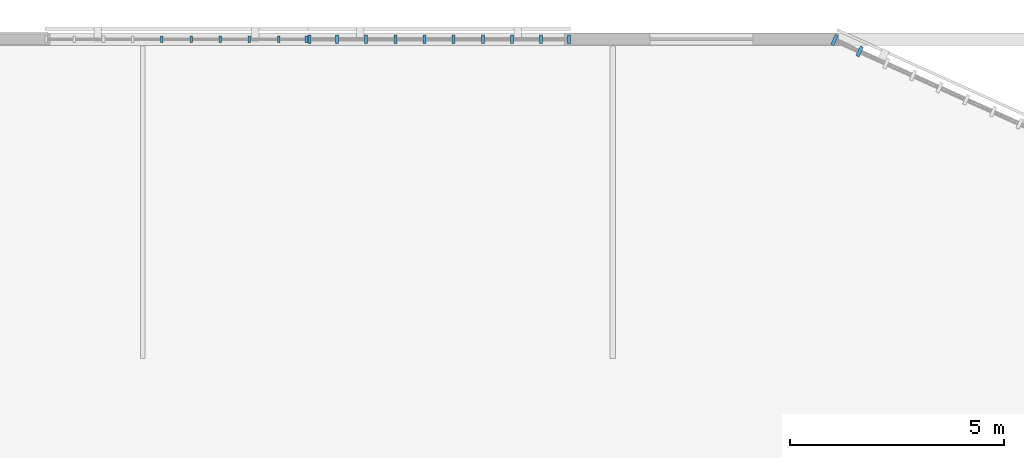
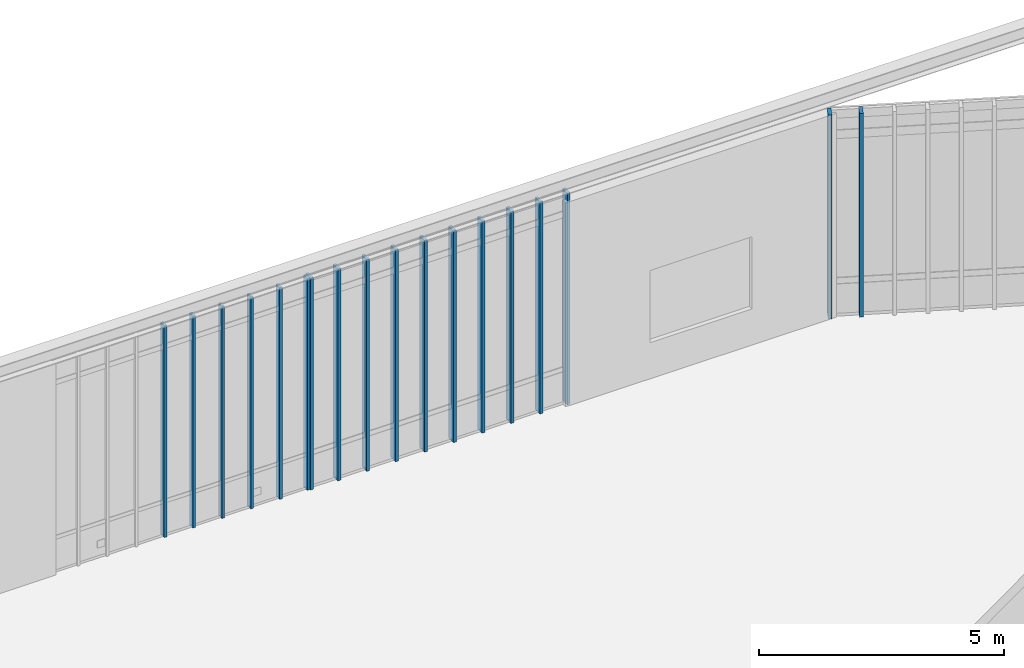
# One storey, part 32 of 135: 18 members, 3 elements without a shape of their own.
"""IFC4 building model written with IfcOpenShell, lengths in metres."""

import ifcopenshell
import ifcopenshell.guid

model = None  # the IFC model being written
_history = None  # IfcOwnerHistory: only IFC2X3 demands one
_inside = {}  # id of a spatial element -> (the spatial element, [elements in it])
_under = {}  # id of a project, library or spatial element -> (it, [spatial elements below it])
_declared = {}  # id of a project -> (the project, [libraries it declares])
_typed = {}  # id of a type object -> (the type object, [elements of that type])
_made_of = {}  # id of a material, layer set ... -> (it, [elements and type objects made of it])


def new_model(schema):
    """Start an empty IFC model of exactly this schema.

    Asked for "IFC4X3", IfcOpenShell would pick the latest addendum, in which some entities
    have other attributes; the version numbers below select the first issue.
    IFC2X3 requires an IfcOwnerHistory on every rooted entity: one is made here for all.
    """
    global model, _history
    if schema == "IFC4X3":
        model = ifcopenshell.file(schema_version=(4, 3, 0, 0))
    else:
        model = ifcopenshell.file(schema=schema)
    _inside.clear()
    _under.clear()
    _declared.clear()
    _typed.clear()
    _made_of.clear()
    _history = None
    if model.schema == "IFC2X3":
        org = make("IfcOrganization", Name="unknown")
        user = make(
            "IfcPersonAndOrganization",
            ThePerson=make("IfcPerson", FamilyName="unknown"),
            TheOrganization=org,
        )
        app = make(
            "IfcApplication",
            ApplicationDeveloper=org,
            Version="unknown",
            ApplicationFullName="unknown",
            ApplicationIdentifier="unknown",
        )
        _history = make(
            "IfcOwnerHistory",
            OwningUser=user,
            OwningApplication=app,
            ChangeAction="ADDED",
            CreationDate=0,
        )
    return model


def make(cls, **values):
    """One entity of the class cls with the attributes given. An attribute that is None is left unset."""
    return model.create_entity(
        cls, **{name: value for name, value in values.items() if value is not None}
    )


def rooted(cls, **values):
    """An entity with a GlobalId (a new one), such as an element, a storey or a relation."""
    return make(cls, GlobalId=ifcopenshell.guid.new(), OwnerHistory=_history, **values)


def si_unit(unit_type, name, prefix=None):
    """IfcSIUnit, for example si_unit("LENGTHUNIT", "METRE", prefix="MILLI")."""
    return make("IfcSIUnit", UnitType=unit_type, Prefix=prefix, Name=name)


def assignment(units):
    """IfcUnitAssignment: the units of a project."""
    return None if units is None else make("IfcUnitAssignment", Units=units)


def point(xyz):
    """IfcCartesianPoint."""
    return None if xyz is None else make("IfcCartesianPoint", Coordinates=xyz)


def direction(xyz):
    """IfcDirection."""
    return None if xyz is None else make("IfcDirection", DirectionRatios=xyz)


def frame(location, z_axis=None, x_axis=None):
    """IfcAxis2Placement3D, a coordinate frame: its origin and axes. An axis left out is left unset."""
    return make(
        "IfcAxis2Placement3D",
        Location=point(location),
        Axis=direction(z_axis),
        RefDirection=direction(x_axis),
    )


def frame_2d(location, x_axis=None):
    """IfcAxis2Placement2D, a coordinate frame in the plane: its origin and x axis."""
    return make(
        "IfcAxis2Placement2D", Location=point(location), RefDirection=direction(x_axis)
    )


def origin():
    """The frame at (0, 0, 0) with its axes left unset."""
    return frame((0.0, 0.0, 0.0))


def origin_2d():
    """The frame at (0, 0) in the plane with its x axis left unset."""
    return frame_2d((0.0, 0.0))


def place(relative_to, where):
    """IfcLocalPlacement: puts the frame where relative to a parent placement (None: the world)."""
    return make(
        "IfcLocalPlacement", PlacementRelTo=relative_to, RelativePlacement=where
    )


def context(
    kind, dimensions, precision=None, world=None, true_north=None, identifier=None
):
    """IfcGeometricRepresentationContext, for example the 3D "Model" context."""
    return make(
        "IfcGeometricRepresentationContext",
        ContextIdentifier=identifier,
        ContextType=kind,
        CoordinateSpaceDimension=dimensions,
        Precision=precision,
        WorldCoordinateSystem=world,
        TrueNorth=true_north,
    )


def subcontext(parent, identifier, kind, view, scale=None):
    """IfcGeometricRepresentationSubContext, for example "Body" below "Model"."""
    return make(
        "IfcGeometricRepresentationSubContext",
        ContextIdentifier=identifier,
        ContextType=kind,
        ParentContext=parent,
        TargetScale=scale,
        TargetView=view,
    )


def project(units=None, contexts=None):
    """IfcProject with its units and contexts."""
    return rooted(
        "IfcProject",
        Name="project",
        RepresentationContexts=contexts,
        UnitsInContext=assignment(units),
    )


def spatial(cls, under=None, at=None, **own):
    """A site, building, storey or space (cls), placed at a placement, below another one or the project."""
    s = rooted(cls, ObjectPlacement=at, **own)
    if under is not None:
        _under.setdefault(under.id(), (under, []))[1].append(s)
    return s


def profile(cls, at=None, kind="AREA", **sizes):
    """A parametric profile (cls). Its sizes go by their IFC names, for example OverallWidth=200.0."""
    return make(cls, ProfileType=kind, Position=at, **sizes)


def rectangle(**sizes):
    """IfcRectangleProfileDef."""
    return profile("IfcRectangleProfileDef", **sizes)


def extrude(swept, where, along, depth):
    """IfcExtrudedAreaSolid: the profile swept, set in the frame where, extruded along a direction by depth."""
    return make(
        "IfcExtrudedAreaSolid",
        SweptArea=swept,
        Position=where,
        ExtrudedDirection=direction(along),
        Depth=depth,
    )


def shape(context_of_items, identifier, shape_type, items):
    """IfcShapeRepresentation: the items that make up one representation, for example the "Body"."""
    return make(
        "IfcShapeRepresentation",
        ContextOfItems=context_of_items,
        RepresentationIdentifier=identifier,
        RepresentationType=shape_type,
        Items=items,
    )


def material(Name=None, Category=None):
    """IfcMaterial."""
    return make("IfcMaterial", Name=Name, Category=Category)


def material_profile(
    of_material, cross_section, Name=None, Category=None, Priority=None
):
    """IfcMaterialProfile: a cross section and its material."""
    return make(
        "IfcMaterialProfile",
        Name=Name,
        Material=of_material,
        Profile=cross_section,
        Priority=Priority,
        Category=Category,
    )


def profile_set(profiles, Name=None, composite=None):
    """IfcMaterialProfileSet."""
    return make(
        "IfcMaterialProfileSet",
        Name=Name,
        MaterialProfiles=profiles,
        CompositeProfile=composite,
    )


def made_of(thing, what):
    """Note that an element or type object is made of a material, layer set ...; save() writes the relation."""
    if what is not None:
        _made_of.setdefault(what.id(), (what, []))[1].append(thing)
    return thing


def type_object(cls, material=None, **own):
    """A type object (cls), such as IfcWallType, which elements share."""
    return made_of(rooted(cls, **own), material)


def element(
    cls,
    number,
    at=None,
    inside=None,
    cuts=None,
    type_object=None,
    material=None,
    context=None,
    identifier="Body",
    shape_type=None,
    held_by="IfcProductDefinitionShape",
    body=None,
    shapes=None,
    **own,
):
    """One element of the class cls, such as IfcWall. Its Tag is "e" and its number.

    at: its placement. inside: the storey or other place that contains it. cuts: it is an
    opening in that element (IfcRelVoidsElement). A single representation is given by context,
    identifier, shape_type and body (its items); several are given by shapes. held_by: the class
    of the entity that holds the representations. save() writes the other relations.
    """
    e = rooted(cls, Tag="e%d" % number, ObjectPlacement=at, **own)
    if body is not None:
        shapes = [shape(context, identifier, shape_type, body)]
    if shapes is not None:
        e.Representation = make(held_by, Representations=shapes)
    if inside is not None:
        _inside.setdefault(inside.id(), (inside, []))[1].append(e)
    if cuts is not None:
        rooted(
            "IfcRelVoidsElement", RelatingBuildingElement=cuts, RelatedOpeningElement=e
        )
    if type_object is not None:
        _typed.setdefault(type_object.id(), (type_object, []))[1].append(e)
    return made_of(e, material)


def aggregate(whole, parts):
    """IfcRelAggregates: a whole, such as a stair, and the parts it consists of."""
    return rooted("IfcRelAggregates", RelatingObject=whole, RelatedObjects=parts)


def save(model, path):
    """Write the relations noted so far, then the file.

    IfcRelAggregates (storeys below a building ...), IfcRelContainedInSpatialStructure (elements
    in a storey), IfcRelDefinesByType, IfcRelAssociatesMaterial and IfcRelDeclares: one each for
    every whole, place, type object, material and project.
    """
    for whole, parts in _under.values():
        aggregate(whole, parts)
    for where, things in _inside.values():
        rooted(
            "IfcRelContainedInSpatialStructure",
            RelatedElements=things,
            RelatingStructure=where,
        )
    for kind, things in _typed.values():
        rooted("IfcRelDefinesByType", RelatedObjects=things, RelatingType=kind)
    for what, things in _made_of.values():
        rooted("IfcRelAssociatesMaterial", RelatedObjects=things, RelatingMaterial=what)
    for by, libraries in _declared.values():
        rooted("IfcRelDeclares", RelatingContext=by, RelatedDefinitions=libraries)
    model.write(path)


model = new_model("IFC4")

# Units and contexts
model_context = context("Model", 3, precision=1e-05, world=origin(), true_north=direction((0.0, 1.0)))
body_context = subcontext(model_context, "Body", "Model", "MODEL_VIEW")
ifc_project = project(units=[si_unit("LENGTHUNIT", "METRE"), si_unit("AREAUNIT", "SQUARE_METRE"), si_unit("VOLUMEUNIT", "CUBIC_METRE"), si_unit("PLANEANGLEUNIT", "RADIAN"), si_unit("MASSUNIT", "GRAM", prefix="KILO")], contexts=[model_context])

# Site, building, storey
site_placement = place(None, origin())
site = spatial("IfcSite", under=ifc_project, at=site_placement, CompositionType="ELEMENT")
building_placement = place(site_placement, origin())
building = spatial("IfcBuilding", under=site, at=building_placement, Name="Larkvane Passage Sports Hall", CompositionType="ELEMENT")
storey_placement = place(building_placement, frame((0.0, 0.0, 10.800048828125)))
storey = spatial("IfcBuildingStorey", under=building, at=storey_placement, Name="L02", CompositionType="ELEMENT", Elevation=10.800048828125)

# Curtain wall, members
ifc_material_1 = material(Name="Thermally broken aluminium and low-E glazing", Category="aluminium")
curtain_wall_type_1 = type_object("IfcCurtainWallType", Name="CW-UNIT-COURT", PredefinedType="USERDEFINED", material=ifc_material_1)
curtain_wall_1_placement = place(storey_placement, origin())
curtain_wall_1 = element("IfcCurtainWall", 1, at=curtain_wall_1_placement, inside=storey, type_object=curtain_wall_type_1, Name="Curtain wall CW5-L02-100", ObjectType="UNITISED CURTAIN WALL", PredefinedType="USERDEFINED")
ifc_material_2 = material(Name="Anodised aluminium 6063-T6", Category="aluminium")
ifc_material_profile_1 = material_profile(ifc_material_2, rectangle(XDim=0.06005859375, YDim=0.14990234375, at=origin_2d()), Name="ALU-MUL-60x150")
ifc_profile_set_1 = profile_set([ifc_material_profile_1], Name="Anodised aluminium 6063-T6")
member_type_1 = type_object("IfcMemberType", Name="CW-MUL-60x150", PredefinedType="MULLION", material=ifc_profile_set_1)
member_1_placement = place(storey_placement, frame((61.147216796875, 106.800048828125, 0.0), z_axis=(0.0, 0.0, 1.0), x_axis=(1.0, 0.0, 0.0)))
member_1 = element("IfcMember", 2, at=member_1_placement, type_object=member_type_1, Name="CW-01 mullion 5", PredefinedType="MULLION", context=body_context, shape_type="SweptSolid", body=[
    extrude(rectangle(XDim=0.06005859375, YDim=0.14990234375, at=origin_2d()), origin(), (0.0, 0.0, 1.0), 5.27783203125),
])
member_2_placement = place(storey_placement, frame((61.827880859375, 106.800048828125, 0.0), z_axis=(0.0, 0.0, 1.0), x_axis=(1.0, 0.0, 0.0)))
member_2 = element("IfcMember", 3, at=member_2_placement, type_object=member_type_1, Name="CW-01 mullion 6", PredefinedType="MULLION", context=body_context, shape_type="SweptSolid", body=[
    extrude(rectangle(XDim=0.06005859375, YDim=0.14990234375, at=origin_2d()), origin(), (0.0, 0.0, 1.0), 5.27783203125),
])
member_3_placement = place(storey_placement, frame((62.50830078125, 106.800048828125, 0.0), z_axis=(0.0, 0.0, 1.0), x_axis=(1.0, 0.0, 0.0)))
member_3 = element("IfcMember", 4, at=member_3_placement, type_object=member_type_1, Name="CW-01 mullion 7", PredefinedType="MULLION", context=body_context, shape_type="SweptSolid", body=[
    extrude(rectangle(XDim=0.06005859375, YDim=0.14990234375, at=origin_2d()), origin(), (0.0, 0.0, 1.0), 5.27783203125),
])
member_4_placement = place(storey_placement, frame((63.18896484375, 106.800048828125, 0.0), z_axis=(0.0, 0.0, 1.0), x_axis=(1.0, 0.0, 0.0)))
member_4 = element("IfcMember", 5, at=member_4_placement, type_object=member_type_1, Name="CW-01 mullion 8", PredefinedType="MULLION", context=body_context, shape_type="SweptSolid", body=[
    extrude(rectangle(XDim=0.06005859375, YDim=0.14990234375, at=origin_2d()), origin(), (0.0, 0.0, 1.0), 5.27783203125),
])
member_5_placement = place(storey_placement, frame((63.869384765625, 106.800048828125, 0.0), z_axis=(0.0, 0.0, 1.0), x_axis=(1.0, 0.0, 0.0)))
member_5 = element("IfcMember", 6, at=member_5_placement, type_object=member_type_1, Name="CW-01 mullion 9", PredefinedType="MULLION", context=body_context, shape_type="SweptSolid", body=[
    extrude(rectangle(XDim=0.06005859375, YDim=0.14990234375, at=origin_2d()), origin(), (0.0, 0.0, 1.0), 5.27783203125),
])
member_6_placement = place(storey_placement, frame((64.52001953125, 106.800048828125, 0.0), z_axis=(0.0, 0.0, 1.0), x_axis=(1.0, 0.0, 0.0)))
member_6 = element("IfcMember", 7, at=member_6_placement, type_object=member_type_1, Name="CW-01 mullion 10", PredefinedType="MULLION", context=body_context, shape_type="SweptSolid", body=[
    extrude(rectangle(XDim=0.06005859375, YDim=0.14990234375, at=origin_2d()), origin(), (0.0, 0.0, 1.0), 5.27783203125),
])
aggregate(curtain_wall_1, [member_1, member_2, member_3, member_4, member_5, member_6])

curtain_wall_type_2 = type_object("IfcCurtainWallType", Name="CW-UNIT-VEIL", PredefinedType="USERDEFINED", material=ifc_material_1)
curtain_wall_2_placement = place(storey_placement, origin())
curtain_wall_2 = element("IfcCurtainWall", 8, at=curtain_wall_2_placement, inside=storey, type_object=curtain_wall_type_2, Name="Curtain wall CW5-L02-101", ObjectType="UNITISED CURTAIN WALL", PredefinedType="USERDEFINED")
ifc_material_profile_2 = material_profile(ifc_material_2, rectangle(XDim=0.070068359375, YDim=0.199951171875, at=origin_2d()), Name="ALU-MUL-70x200")
ifc_profile_set_2 = profile_set([ifc_material_profile_2], Name="Anodised aluminium 6063-T6")
member_type_2 = type_object("IfcMemberType", Name="CW-MUL-70x200", PredefinedType="MULLION", material=ifc_profile_set_2)
member_7_placement = place(storey_placement, frame((64.5849609375, 106.800048828125, 0.0), z_axis=(0.0, 0.0, 1.0), x_axis=(1.0, 0.0, 0.0)))
member_7 = element("IfcMember", 9, at=member_7_placement, type_object=member_type_2, Name="CW-02 mullion 1", PredefinedType="MULLION", context=body_context, shape_type="SweptSolid", body=[
    extrude(rectangle(XDim=0.070068359375, YDim=0.199951171875, at=origin_2d()), origin(), (0.0, 0.0, 1.0), 5.27783203125),
])
member_8_placement = place(storey_placement, frame((65.23046875, 106.800048828125, 0.0), z_axis=(0.0, 0.0, 1.0), x_axis=(1.0, 0.0, 0.0)))
member_8 = element("IfcMember", 10, at=member_8_placement, type_object=member_type_2, Name="CW-02 mullion 2", PredefinedType="MULLION", context=body_context, shape_type="SweptSolid", body=[
    extrude(rectangle(XDim=0.070068359375, YDim=0.199951171875, at=origin_2d()), origin(), (0.0, 0.0, 1.0), 5.27783203125),
])
member_9_placement = place(storey_placement, frame((65.9111328125, 106.800048828125, 0.0), z_axis=(0.0, 0.0, 1.0), x_axis=(1.0, 0.0, 0.0)))
member_9 = element("IfcMember", 11, at=member_9_placement, type_object=member_type_2, Name="CW-02 mullion 3", PredefinedType="MULLION", context=body_context, shape_type="SweptSolid", body=[
    extrude(rectangle(XDim=0.070068359375, YDim=0.199951171875, at=origin_2d()), origin(), (0.0, 0.0, 1.0), 5.27783203125),
])
member_10_placement = place(storey_placement, frame((66.591552734375, 106.800048828125, 0.0), z_axis=(0.0, 0.0, 1.0), x_axis=(1.0, 0.0, 0.0)))
member_10 = element("IfcMember", 12, at=member_10_placement, type_object=member_type_2, Name="CW-02 mullion 4", PredefinedType="MULLION", context=body_context, shape_type="SweptSolid", body=[
    extrude(rectangle(XDim=0.070068359375, YDim=0.199951171875, at=origin_2d()), origin(), (0.0, 0.0, 1.0), 5.27783203125),
])
member_11_placement = place(storey_placement, frame((67.272216796875, 106.800048828125, 0.0), z_axis=(0.0, 0.0, 1.0), x_axis=(1.0, 0.0, 0.0)))
member_11 = element("IfcMember", 13, at=member_11_placement, type_object=member_type_2, Name="CW-02 mullion 5", PredefinedType="MULLION", context=body_context, shape_type="SweptSolid", body=[
    extrude(rectangle(XDim=0.070068359375, YDim=0.199951171875, at=origin_2d()), origin(), (0.0, 0.0, 1.0), 5.27783203125),
])
member_12_placement = place(storey_placement, frame((67.952880859375, 106.800048828125, 0.0), z_axis=(0.0, 0.0, 1.0), x_axis=(1.0, 0.0, 0.0)))
member_12 = element("IfcMember", 14, at=member_12_placement, type_object=member_type_2, Name="CW-02 mullion 6", PredefinedType="MULLION", context=body_context, shape_type="SweptSolid", body=[
    extrude(rectangle(XDim=0.070068359375, YDim=0.199951171875, at=origin_2d()), origin(), (0.0, 0.0, 1.0), 5.27783203125),
])
member_13_placement = place(storey_placement, frame((68.63330078125, 106.800048828125, 0.0), z_axis=(0.0, 0.0, 1.0), x_axis=(1.0, 0.0, 0.0)))
member_13 = element("IfcMember", 15, at=member_13_placement, type_object=member_type_2, Name="CW-02 mullion 7", PredefinedType="MULLION", context=body_context, shape_type="SweptSolid", body=[
    extrude(rectangle(XDim=0.070068359375, YDim=0.199951171875, at=origin_2d()), origin(), (0.0, 0.0, 1.0), 5.27783203125),
])
member_14_placement = place(storey_placement, frame((69.31396484375, 106.800048828125, 0.0), z_axis=(0.0, 0.0, 1.0), x_axis=(1.0, 0.0, 0.0)))
member_14 = element("IfcMember", 16, at=member_14_placement, type_object=member_type_2, Name="CW-02 mullion 8", PredefinedType="MULLION", context=body_context, shape_type="SweptSolid", body=[
    extrude(rectangle(XDim=0.070068359375, YDim=0.199951171875, at=origin_2d()), origin(), (0.0, 0.0, 1.0), 5.27783203125),
])
member_15_placement = place(storey_placement, frame((69.994384765625, 106.800048828125, 0.0), z_axis=(0.0, 0.0, 1.0), x_axis=(1.0, 0.0, 0.0)))
member_15 = element("IfcMember", 17, at=member_15_placement, type_object=member_type_2, Name="CW-02 mullion 9", PredefinedType="MULLION", context=body_context, shape_type="SweptSolid", body=[
    extrude(rectangle(XDim=0.070068359375, YDim=0.199951171875, at=origin_2d()), origin(), (0.0, 0.0, 1.0), 5.27783203125),
])
member_16_placement = place(storey_placement, frame((70.639892578125, 106.800048828125, 0.0), z_axis=(0.0, 0.0, 1.0), x_axis=(1.0, 0.0, 0.0)))
member_16 = element("IfcMember", 18, at=member_16_placement, type_object=member_type_2, Name="CW-02 mullion 10", PredefinedType="MULLION", context=body_context, shape_type="SweptSolid", body=[
    extrude(rectangle(XDim=0.070068359375, YDim=0.199951171875, at=origin_2d()), origin(), (0.0, 0.0, 1.0), 5.27783203125),
])
aggregate(curtain_wall_2, [member_7, member_8, member_9, member_10, member_11, member_12, member_13, member_14, member_15, member_16])

curtain_wall_type_3 = type_object("IfcCurtainWallType", Name="CW-STICK-FOYER", PredefinedType="USERDEFINED", material=ifc_material_1)
curtain_wall_3_placement = place(storey_placement, origin())
curtain_wall_3 = element("IfcCurtainWall", 19, at=curtain_wall_3_placement, inside=storey, type_object=curtain_wall_type_3, Name="Curtain wall CW5-L02-078", ObjectType="STICK CURTAIN WALL", PredefinedType="USERDEFINED")
ifc_material_profile_3 = material_profile(ifc_material_2, rectangle(XDim=0.080078125, YDim=0.25, at=origin_2d()), Name="ALU-MUL-80x250")
ifc_profile_set_3 = profile_set([ifc_material_profile_3], Name="Anodised aluminium 6063-T6")
member_type_3 = type_object("IfcMemberType", Name="CW-MUL-80x250", PredefinedType="MULLION", material=ifc_profile_set_3)
member_17_placement = place(storey_placement, frame((76.83642578125, 106.783447265625, 0.0), z_axis=(0.0, 0.0, 1.0), x_axis=(0.911109959422, -0.412163367903, 0.0)))
member_17 = element("IfcMember", 20, at=member_17_placement, type_object=member_type_3, Name="CW-03 mullion 1", PredefinedType="MULLION", context=body_context, shape_type="SweptSolid", body=[
    extrude(rectangle(XDim=0.080078125, YDim=0.25, at=origin_2d()), origin(), (0.0, 0.0, 1.0), 5.079833984375),
])
member_18_placement = place(storey_placement, frame((77.422119140625, 106.5185546875, 0.0), z_axis=(0.0, 0.0, 1.0), x_axis=(0.911109959422, -0.412163367903, 0.0)))
member_18 = element("IfcMember", 21, at=member_18_placement, type_object=member_type_3, Name="CW-03 mullion 2", PredefinedType="MULLION", context=body_context, shape_type="SweptSolid", body=[
    extrude(rectangle(XDim=0.080078125, YDim=0.25, at=origin_2d()), origin(), (0.0, 0.0, 1.0), 5.079833984375),
])
aggregate(curtain_wall_3, [member_17, member_18])

save(model, "model.ifc")
